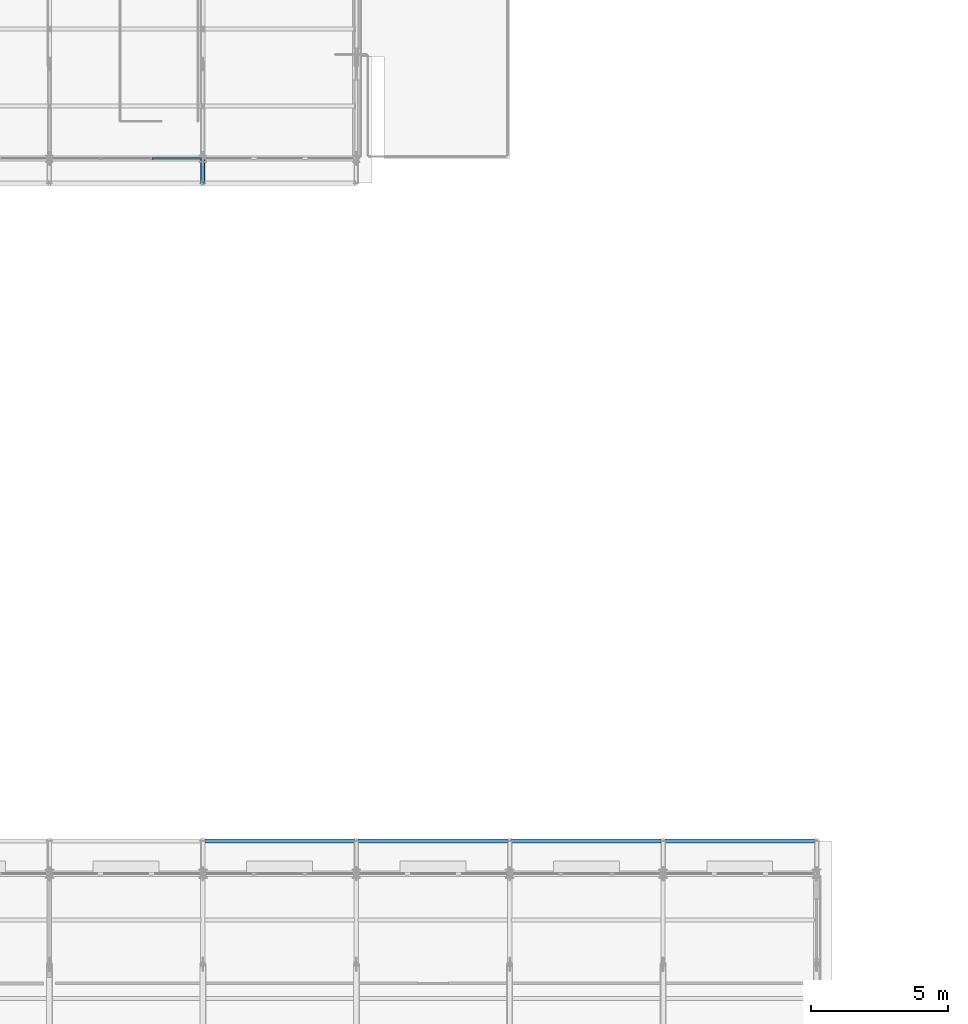
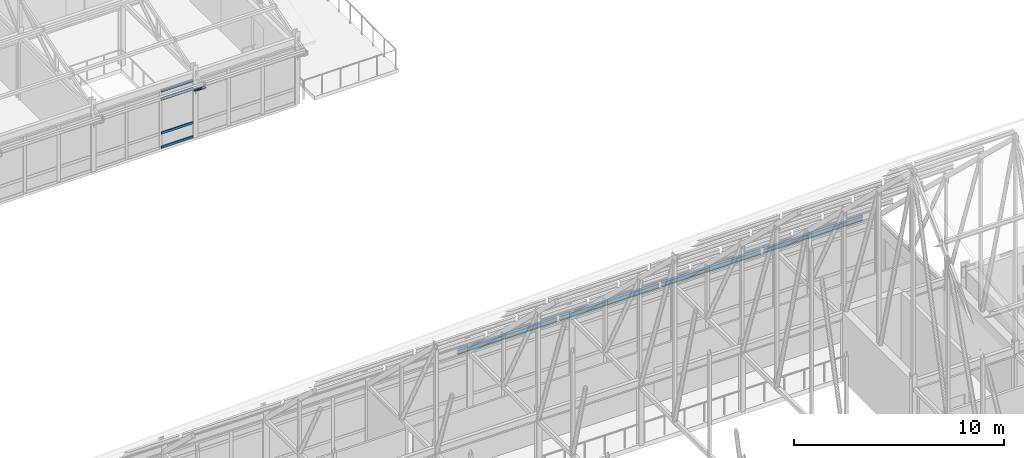
# One storey, part 62 of 144: 9 members, 1 element without a shape of its own.
"""IFC4 building model written with IfcOpenShell, lengths in metres."""

from ifc_helpers import new_model, si_unit, direction, frame, origin, origin_2d, place, context, subcontext, project, spatial, rectangle, hollow_circle, i_section, extrude, material, layer, layer_set, material_profile, profile_set, type_object, element, aggregate, save


model = new_model("IFC4")

# Units and contexts
model_context = context("Model", 3, precision=1e-05, world=origin(), true_north=direction((0.0, 1.0)))
body_context = subcontext(model_context, "Body", "Model", "MODEL_VIEW")
ifc_project = project(units=[si_unit("LENGTHUNIT", "METRE"), si_unit("AREAUNIT", "SQUARE_METRE"), si_unit("VOLUMEUNIT", "CUBIC_METRE"), si_unit("PLANEANGLEUNIT", "RADIAN"), si_unit("MASSUNIT", "GRAM", prefix="KILO")], contexts=[model_context])

# Site, building, storey
site_placement = place(None, origin())
site = spatial("IfcSite", under=ifc_project, at=site_placement, CompositionType="ELEMENT")
building_placement = place(site_placement, origin())
building = spatial("IfcBuilding", under=site, at=building_placement, Name="Trelmorton Wharf Fire Station", CompositionType="ELEMENT")
storey_placement = place(building_placement, frame((0.0, 0.0, 5.39990234375)))
storey = spatial("IfcBuildingStorey", under=building, at=storey_placement, Name="L01", CompositionType="ELEMENT", Elevation=5.39990234375)

# Curtain wall, members
ifc_material_1 = material(Name="Anodised aluminium AW-6063", Category="aluminium")
ifc_layer = layer(ifc_material_1, 0.14990234375)
ifc_layer_set = layer_set([ifc_layer], Name="Anodised aluminium AW-6063")
curtain_wall_type = type_object("IfcCurtainWallType", Name="CW_UNIT_A", PredefinedType="USERDEFINED", material=ifc_layer_set)
curtain_wall_placement = place(storey_placement, origin())
curtain_wall = element("IfcCurtainWall", 1, at=curtain_wall_placement, inside=storey, type_object=curtain_wall_type, Name="CW-V6-L01-095", ObjectType="UNITISED CURTAIN WALL", PredefinedType="USERDEFINED")
ifc_material_profile_1 = material_profile(ifc_material_1, rectangle(XDim=0.06494140625, YDim=0.139892578125, at=origin_2d()), Name="ALU-65x140")
ifc_profile_set_1 = profile_set([ifc_material_profile_1], Name="Anodised aluminium AW-6063")
member_type_1 = type_object("IfcMemberType", Name="CWT_65x140", PredefinedType="USERDEFINED", material=ifc_profile_set_1)
member_1_placement = place(storey_placement, frame((34.3349609375, 60.300048828125, 0.030029296875), z_axis=(-1.0, 0.0, 0.0), x_axis=(0.0, -1.0, 0.0)))
member_1 = element("IfcMember", 2, at=member_1_placement, type_object=member_type_1, Name="CW3 transom 1.1", ObjectType="TRANSOM", PredefinedType="USERDEFINED", context=body_context, shape_type="SweptSolid", body=[
    extrude(rectangle(XDim=0.06494140625, YDim=0.139892578125, at=origin_2d()), origin(), (0.0, 0.0, 1.0), 1.773193359375),
])
member_2_placement = place(storey_placement, frame((34.3349609375, 60.300048828125, 0.85009765625), z_axis=(-1.0, 0.0, 0.0), x_axis=(0.0, -1.0, 0.0)))
member_2 = element("IfcMember", 3, at=member_2_placement, type_object=member_type_1, Name="CW3 transom 1.2", ObjectType="TRANSOM", PredefinedType="USERDEFINED", context=body_context, shape_type="SweptSolid", body=[
    extrude(rectangle(XDim=0.06494140625, YDim=0.139892578125, at=origin_2d()), origin(), (0.0, 0.0, 1.0), 1.773193359375),
])
member_3_placement = place(storey_placement, frame((34.3349609375, 60.300048828125, 2.820068359375), z_axis=(-1.0, 0.0, 0.0), x_axis=(0.0, -1.0, 0.0)))
member_3 = element("IfcMember", 4, at=member_3_placement, type_object=member_type_1, Name="CW3 transom 1.3", ObjectType="TRANSOM", PredefinedType="USERDEFINED", context=body_context, shape_type="SweptSolid", body=[
    extrude(rectangle(XDim=0.06494140625, YDim=0.139892578125, at=origin_2d()), origin(), (0.0, 0.0, 1.0), 1.773193359375),
])
member_4_placement = place(storey_placement, frame((34.3349609375, 60.300048828125, 3.2900390625), z_axis=(-1.0, 0.0, 0.0), x_axis=(0.0, -1.0, 0.0)))
member_4 = element("IfcMember", 5, at=member_4_placement, type_object=member_type_1, Name="CW3 transom 1.4", ObjectType="TRANSOM", PredefinedType="USERDEFINED", context=body_context, shape_type="SweptSolid", body=[
    extrude(rectangle(XDim=0.06494140625, YDim=0.139892578125, at=origin_2d()), origin(), (0.0, 0.0, 1.0), 1.773193359375),
])
aggregate(curtain_wall, [member_1, member_2, member_3, member_4])

# Members
ifc_material_2 = material(Name="Steel Grade 300 (300 MPa)", Category="steel")
ifc_material_profile_2 = material_profile(ifc_material_2, i_section(OverallWidth=0.14599609375, OverallDepth=0.256103515625, WebThickness=0.00634765625, FlangeThickness=0.010986328125, FilletRadius=0.0087890625, at=origin_2d()), Name="250UB37.3")
ifc_profile_set_2 = profile_set([ifc_material_profile_2], Name="Steel Grade 300 (300 MPa)")
member_type_2 = type_object("IfcMemberType", Name="PR_250UB37", PredefinedType="PURLIN", material=ifc_profile_set_2)
for number, where, z_axis, x_axis, name in (
    (6, (34.471923828125, 35.39990234375, 2.566162109375), (1.0, 0.0, 0.0), (0.0, 1.0, 0.0), "V1-PR-B07-N5"),
    (7, (40.072021484375, 35.39990234375, 2.566162109375), (1.0, 0.0, 0.0), (0.0, 1.0, 0.0), "V1-PR-B08-N5"),
):
    element("IfcMember", number, at=place(storey_placement, frame(where, z_axis=z_axis, x_axis=x_axis)), inside=storey, type_object=member_type_2, Name=name, PredefinedType="PURLIN", context=body_context, shape_type="SweptSolid", body=[
        extrude(i_section(OverallWidth=0.14599609375, OverallDepth=0.256103515625, WebThickness=0.00634765625, FlangeThickness=0.010986328125, FilletRadius=0.0087890625, at=origin_2d()), origin(), (0.0, 0.0, 1.0), 5.4560546875),
    ])
member_5_placement = place(storey_placement, frame((45.672119140625, 35.39990234375, 2.566162109375), z_axis=(1.0, 0.0, 0.0), x_axis=(0.0, 1.0, 0.0)))
element("IfcMember", 8, at=member_5_placement, inside=storey, type_object=member_type_2, Name="V1-PR-B09-N5", PredefinedType="PURLIN", context=body_context, shape_type="SweptSolid", body=[
    extrude(i_section(OverallWidth=0.14599609375, OverallDepth=0.256103515625, WebThickness=0.00634765625, FlangeThickness=0.010986328125, FilletRadius=0.0087890625, at=origin_2d()), origin(), (0.0, 0.0, 1.0), 5.455810546875),
])
member_6_placement = place(storey_placement, frame((51.27197265625, 35.39990234375, 2.566162109375), z_axis=(1.0, 0.0, 0.0), x_axis=(0.0, 1.0, 0.0)))
element("IfcMember", 9, at=member_6_placement, inside=storey, type_object=member_type_2, Name="V1-PR-B10-N5", PredefinedType="PURLIN", context=body_context, shape_type="SweptSolid", body=[
    extrude(i_section(OverallWidth=0.14599609375, OverallDepth=0.256103515625, WebThickness=0.00634765625, FlangeThickness=0.010986328125, FilletRadius=0.0087890625, at=origin_2d()), origin(), (0.0, 0.0, 1.0), 5.4560546875),
])
ifc_material_3 = material(Name="Steel C350L0 (350 MPa)", Category="steel")
ifc_material_profile_3 = material_profile(ifc_material_3, hollow_circle(Radius=0.084228515625, WallThickness=0.007080078125, at=origin_2d()), Name="168.3x7.1CHS")
ifc_profile_set_3 = profile_set([ifc_material_profile_3], Name="Steel C350L0 (350 MPa)")
member_type_3 = type_object("IfcMemberType", Name="TR_DIAG_168CHS", PredefinedType="STRUT", material=ifc_profile_set_3)
member_7_placement = place(storey_placement, frame((34.39990234375, 60.300048828125, 2.7001953125), z_axis=(0.0, -0.787036307111, 0.616906679563), x_axis=(1.0, 0.0, 0.0)))
element("IfcMember", 10, at=member_7_placement, inside=storey, type_object=member_type_3, Name="V6-TR03-EAV-S", PredefinedType="STRUT", context=body_context, shape_type="SweptSolid", body=[
    extrude(hollow_circle(Radius=0.084228515625, WallThickness=0.007080078125, at=origin_2d()), origin(), (0.0, 0.0, 1.0), 1.143798828125),
])

save(model, "model.ifc")
